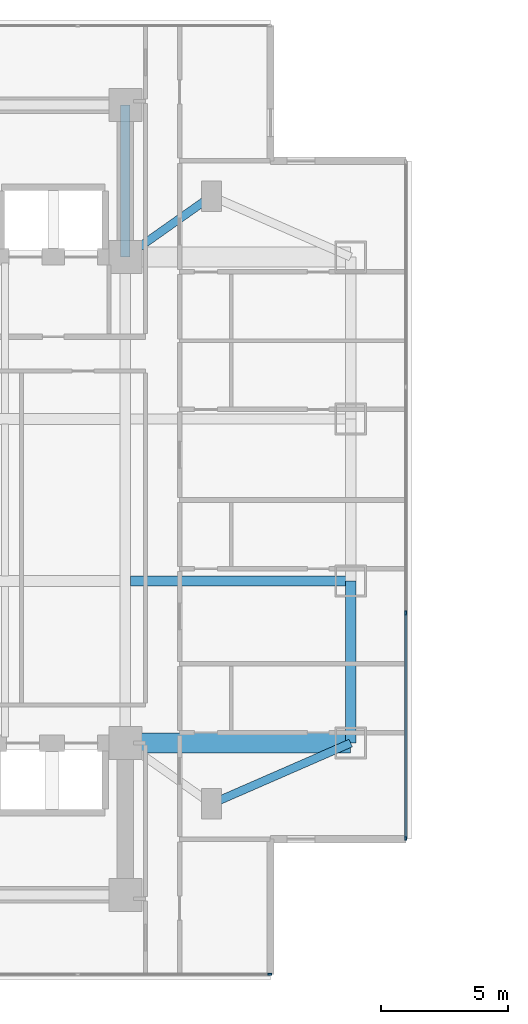
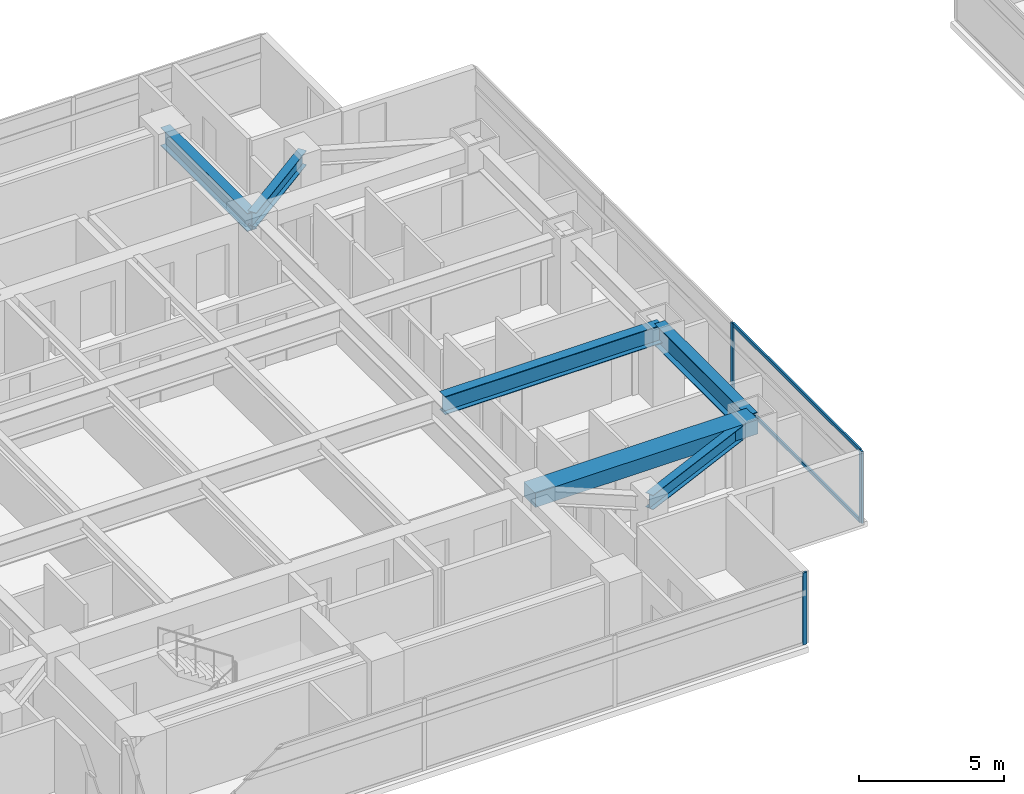
# One storey, part 4 of 27: 6 beams, 5 members, 2 elements without a shape of their own.
"""IFC4 building model written with IfcOpenShell, lengths in metres."""

from ifc_helpers import new_model, si_unit, direction, frame, origin, origin_2d, place, context, subcontext, project, spatial, rectangle, i_section, extrude, material, material_profile, profile_set, type_object, element, aggregate, save


model = new_model("IFC4")

# Units and contexts
model_context = context("Model", 3, precision=1e-05, world=origin(), true_north=direction((0.0, 1.0)))
body_context = subcontext(model_context, "Body", "Model", "MODEL_VIEW")
ifc_project = project(units=[si_unit("LENGTHUNIT", "METRE"), si_unit("AREAUNIT", "SQUARE_METRE"), si_unit("VOLUMEUNIT", "CUBIC_METRE"), si_unit("PLANEANGLEUNIT", "RADIAN"), si_unit("MASSUNIT", "GRAM", prefix="KILO")], contexts=[model_context])

# Site, building, storey
site_placement = place(None, origin())
site = spatial("IfcSite", under=ifc_project, at=site_placement, CompositionType="ELEMENT")
building_placement = place(site_placement, origin())
building = spatial("IfcBuilding", under=site, at=building_placement, Name="Mirazonda Arch Towers", CompositionType="ELEMENT")
storey_placement = place(building_placement, frame((0.0, 0.0, 52.10009765625)))
storey = spatial("IfcBuildingStorey", under=building, at=storey_placement, Name="L14", CompositionType="ELEMENT", Elevation=52.10009765625)

# Beams
ifc_material_1 = material(Name="Steel ASTM A992 Grade 50", Category="steel")
ifc_material_profile_1 = material_profile(ifc_material_1, i_section(OverallWidth=0.41796875, OverallDepth=0.927001953125, WebThickness=0.019287109375, FlangeThickness=0.031982421875, at=origin_2d()), Name="W36X231")
ifc_profile_set_1 = profile_set([ifc_material_profile_1], Name="Steel ASTM A992 Grade 50")
beam_type_1 = type_object("IfcBeamType", Name="BM-EXT-W36X231", PredefinedType="USERDEFINED", material=ifc_profile_set_1)
beam_1_placement = place(storey_placement, frame((38.89990234375, 18.39990234375, 2.596435546875), z_axis=(0.0, 1.0, 0.0), x_axis=(-1.0, 0.0, 0.0)))
element("IfcBeam", 1, at=beam_1_placement, inside=storey, type_object=beam_type_1, Name="L14 Floor Beam BM-T1-L14-NS-E-18", ObjectType="GIRDER", PredefinedType="USERDEFINED", context=body_context, shape_type="SweptSolid", body=[
    extrude(i_section(OverallWidth=0.41796875, OverallDepth=0.927001953125, WebThickness=0.019287109375, FlangeThickness=0.031982421875, at=origin_2d()), origin(), (0.0, 0.0, 1.0), 6.400146484375),
])
ifc_material_profile_2 = material_profile(ifc_material_1, i_section(OverallWidth=0.324951171875, OverallDepth=0.615966796875, WebThickness=0.013916015625, FlangeThickness=0.021484375, at=origin_2d()), Name="W24X117")
ifc_profile_set_2 = profile_set([ifc_material_profile_2], Name="Steel ASTM A992 Grade 50")
beam_type_2 = type_object("IfcBeamType", Name="BM-INT-W24X117", PredefinedType="BEAM", material=ifc_profile_set_2)
beam_2_placement = place(storey_placement, frame((33.39990234375, 16.0, 2.751953125), z_axis=(0.916545343703, 0.399930785183, 0.0), x_axis=(-0.399930785183, 0.916545343703, 0.0)))
element("IfcBeam", 2, at=beam_2_placement, inside=storey, type_object=beam_type_2, Name="L14 Floor Beam BM-T1-L14-PL-SE2", PredefinedType="BEAM", context=body_context, shape_type="SweptSolid", body=[
    extrude(i_section(OverallWidth=0.324951171875, OverallDepth=0.615966796875, WebThickness=0.013916015625, FlangeThickness=0.021484375, at=origin_2d()), origin(), (0.0, 0.0, 1.0), 6.000732421875),
])
beam_3_placement = place(storey_placement, frame((33.39990234375, 40.0, 2.751953125), z_axis=(-0.816971114901, -0.576678591087, 0.0), x_axis=(0.576678591087, -0.816971114901, 0.0)))
element("IfcBeam", 3, at=beam_3_placement, inside=storey, type_object=beam_type_2, Name="L14 Floor Beam BM-T1-L14-PL-NE1", PredefinedType="BEAM", context=body_context, shape_type="SweptSolid", body=[
    extrude(i_section(OverallWidth=0.324951171875, OverallDepth=0.615966796875, WebThickness=0.013916015625, FlangeThickness=0.021484375, at=origin_2d()), origin(), (0.0, 0.0, 1.0), 4.16162109375),
])
ifc_material_profile_3 = material_profile(ifc_material_1, i_section(OverallWidth=0.381103515625, OverallDepth=0.77294921875, WebThickness=0.0166015625, FlangeThickness=0.027099609375, at=origin_2d()), Name="W30X173")
ifc_profile_set_3 = profile_set([ifc_material_profile_3], Name="Steel ASTM A992 Grade 50")
beam_type_3 = type_object("IfcBeamType", Name="BM-INT-W30X173", PredefinedType="USERDEFINED", material=ifc_profile_set_3)
beam_4_placement = place(storey_placement, frame((30.21142578125, 24.800048828125, 2.67333984375), z_axis=(1.0, 0.0, 0.0), x_axis=(0.0, 1.0, 0.0)))
element("IfcBeam", 4, at=beam_4_placement, inside=storey, type_object=beam_type_3, Name="L14 Floor Beam BM-T1-L14-GE2", ObjectType="GIRDER", PredefinedType="USERDEFINED", context=body_context, shape_type="SweptSolid", body=[
    extrude(i_section(OverallWidth=0.381103515625, OverallDepth=0.77294921875, WebThickness=0.0166015625, FlangeThickness=0.027099609375, at=origin_2d()), origin(), (0.0, 0.0, 1.0), 8.6884765625),
])
beam_5_placement = place(storey_placement, frame((30.0, 37.60009765625, 2.67333984375), z_axis=(0.0, 1.0, 0.0), x_axis=(-1.0, 0.0, 0.0)))
element("IfcBeam", 5, at=beam_5_placement, inside=storey, type_object=beam_type_3, Name="L14 Floor Beam BM-T1-L14-CNE", ObjectType="GIRDER", PredefinedType="USERDEFINED", context=body_context, shape_type="SweptSolid", body=[
    extrude(i_section(OverallWidth=0.381103515625, OverallDepth=0.77294921875, WebThickness=0.0166015625, FlangeThickness=0.027099609375, at=origin_2d()), origin(), (0.0, 0.0, 1.0), 6.0),
])
ifc_material_2 = material(Name="Concrete C60/75", Category="concrete")
ifc_material_profile_4 = material_profile(ifc_material_2, rectangle(XDim=0.800048828125, YDim=0.60009765625, at=origin_2d()), Name="RCCB800x600")
ifc_profile_set_4 = profile_set([ifc_material_profile_4], Name="Concrete C60/75")
beam_type_4 = type_object("IfcBeamType", Name="CB-INT-RCCB800x600", PredefinedType="SPANDREL", material=ifc_profile_set_4)
beam_6_placement = place(storey_placement, frame((30.0, 18.39990234375, 2.760009765625), z_axis=(1.0, 0.0, 0.0), x_axis=(0.0, 1.0, 0.0)))
element("IfcBeam", 6, at=beam_6_placement, inside=storey, type_object=beam_type_4, Name="L14 Floor Beam CBC-T1-L14-SE", PredefinedType="SPANDREL", context=body_context, shape_type="SweptSolid", body=[
    extrude(rectangle(XDim=0.800048828125, YDim=0.60009765625, at=origin_2d()), origin(), (0.0, 0.0, 1.0), 8.89990234375),
])

# Curtain wall, member
ifc_material_3 = material(Name="Anodised Aluminium and Low-E Glass", Category="aluminium")
curtain_wall_type = type_object("IfcCurtainWallType", Name="CW-HTL-UNIT", PredefinedType="NOTDEFINED", material=ifc_material_3)
curtain_wall_1_placement = place(storey_placement, origin())
curtain_wall_1 = element("IfcCurtainWall", 7, at=curtain_wall_1_placement, inside=storey, type_object=curtain_wall_type, Name="L14 T1 S Facade CW-L14-T1-S", PredefinedType="NOTDEFINED")
ifc_material_4 = material(Name="Anodised Aluminium Alloy", Category="aluminium")
ifc_material_profile_5 = material_profile(ifc_material_4, rectangle(XDim=0.074951171875, YDim=0.1650390625, at=origin_2d()), Name="ALU-MULL-75x165")
ifc_profile_set_5 = profile_set([ifc_material_profile_5], Name="Anodised Aluminium Alloy")
member_type_1 = type_object("IfcMemberType", Name="MULL-CW-HTL-UNIT", PredefinedType="MULLION", material=ifc_profile_set_5)
member_1_placement = place(storey_placement, frame((35.702392578125, 9.260009765625, 0.0), z_axis=(0.0, 0.0, 1.0), x_axis=(0.0, -1.0, 0.0)))
member_1 = element("IfcMember", 8, at=member_1_placement, type_object=member_type_1, Name="CW-112 mullion 1", PredefinedType="MULLION", context=body_context, shape_type="SweptSolid", body=[
    extrude(rectangle(XDim=0.074951171875, YDim=0.1650390625, at=origin_2d()), origin(), (0.0, 0.0, 1.0), 3.039794921875),
])
aggregate(curtain_wall_1, [member_1])

# Curtain wall, members
curtain_wall_2_placement = place(storey_placement, origin())
curtain_wall_2 = element("IfcCurtainWall", 9, at=curtain_wall_2_placement, inside=storey, type_object=curtain_wall_type, Name="L14 T1 E Facade CW-L14-T1-E", PredefinedType="NOTDEFINED")
member_2_placement = place(storey_placement, frame((41.080078125, 14.637451171875, 0.0), z_axis=(0.0, 0.0, 1.0), x_axis=(-1.0, 0.0, 0.0)))
member_2 = element("IfcMember", 10, at=member_2_placement, type_object=member_type_1, Name="CW-112 mullion 1", PredefinedType="MULLION", context=body_context, shape_type="SweptSolid", body=[
    extrude(rectangle(XDim=0.074951171875, YDim=0.1650390625, at=origin_2d()), origin(), (0.0, 0.0, 1.0), 3.039794921875),
])
member_3_placement = place(storey_placement, frame((41.080078125, 23.533447265625, 0.0), z_axis=(0.0, 0.0, 1.0), x_axis=(-1.0, 0.0, 0.0)))
member_3 = element("IfcMember", 11, at=member_3_placement, type_object=member_type_1, Name="CW-112 mullion 2", PredefinedType="MULLION", context=body_context, shape_type="SweptSolid", body=[
    extrude(rectangle(XDim=0.074951171875, YDim=0.1650390625, at=origin_2d()), origin(), (0.0, 0.0, 1.0), 3.039794921875),
])
ifc_material_profile_6 = material_profile(ifc_material_4, rectangle(XDim=0.074951171875, YDim=0.14501953125, at=origin_2d()), Name="ALU-TRAN-75x145")
ifc_profile_set_6 = profile_set([ifc_material_profile_6], Name="Anodised Aluminium Alloy")
member_type_2 = type_object("IfcMemberType", Name="TRAN-CW-HTL-UNIT", PredefinedType="USERDEFINED", material=ifc_profile_set_6)
member_4_placement = place(storey_placement, frame((41.080078125, 14.675048828125, 0.037353515625), z_axis=(0.0, 1.0, 0.0), x_axis=(-1.0, 0.0, 0.0)))
member_4 = element("IfcMember", 12, at=member_4_placement, type_object=member_type_2, Name="CW-112 transom 1.1", ObjectType="TRANSOM", PredefinedType="USERDEFINED", context=body_context, shape_type="SweptSolid", body=[
    extrude(rectangle(XDim=0.074951171875, YDim=0.14501953125, at=origin_2d()), origin(), (0.0, 0.0, 1.0), 8.82080078125),
])
member_5_placement = place(storey_placement, frame((41.080078125, 14.675048828125, 3.00244140625), z_axis=(0.0, 1.0, 0.0), x_axis=(-1.0, 0.0, 0.0)))
member_5 = element("IfcMember", 13, at=member_5_placement, type_object=member_type_2, Name="CW-112 transom 1.2", ObjectType="TRANSOM", PredefinedType="USERDEFINED", context=body_context, shape_type="SweptSolid", body=[
    extrude(rectangle(XDim=0.074951171875, YDim=0.14501953125, at=origin_2d()), origin(), (0.0, 0.0, 1.0), 8.82080078125),
])
aggregate(curtain_wall_2, [member_2, member_3, member_4, member_5])

save(model, "model.ifc")
